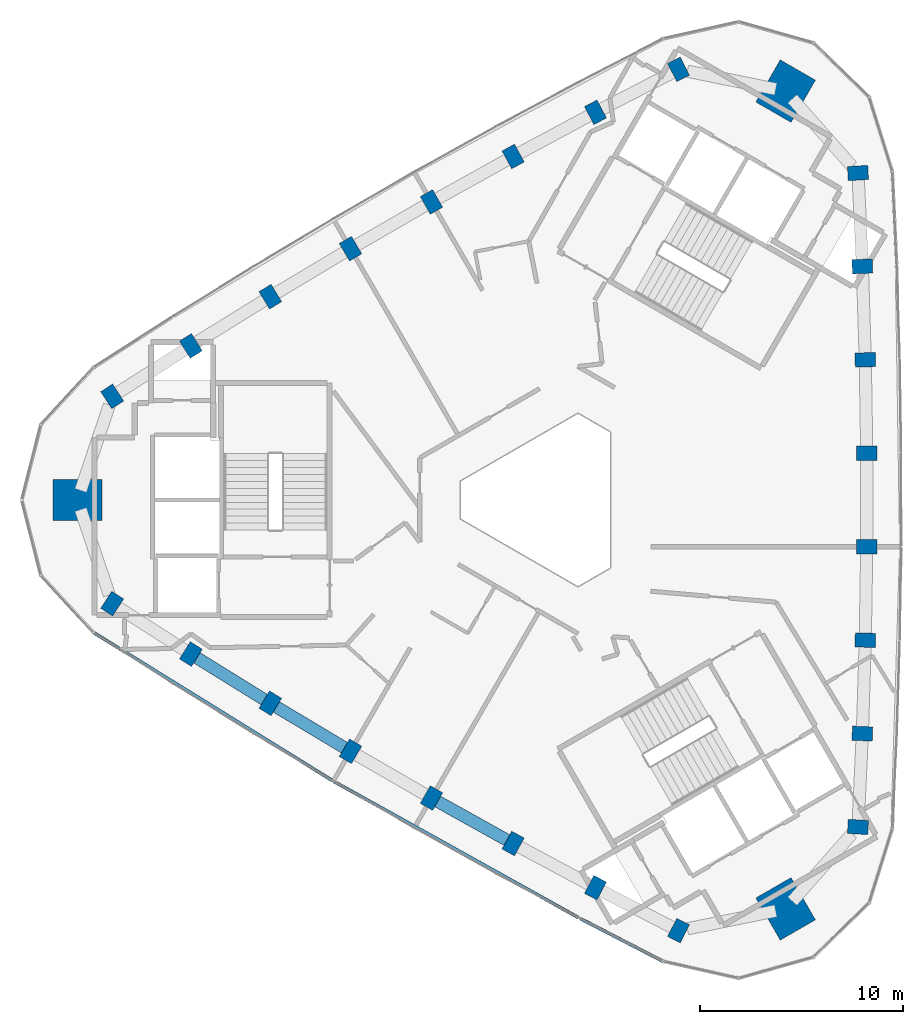
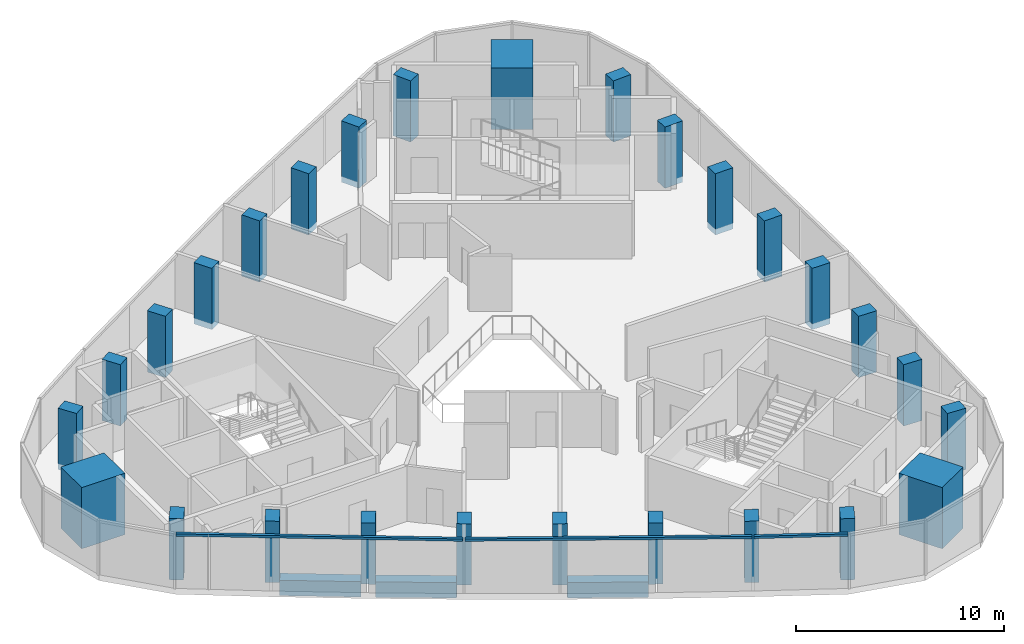
# One storey, part 1 of 10: 27 columns, 3 beams, 3 members, 1 element without a shape of its own.
"""IFC4 building model written with IfcOpenShell, lengths in metres."""

from ifc_helpers import new_model, si_unit, direction, frame, origin, origin_2d, place, context, subcontext, project, spatial, rectangle, extrude, material, material_profile, profile_set, type_object, element, aggregate, save


model = new_model("IFC4")

# Units and contexts
model_context = context("Model", 3, precision=1e-05, world=origin(), true_north=direction((0.0, 1.0)))
body_context = subcontext(model_context, "Body", "Model", "MODEL_VIEW")
ifc_project = project(units=[si_unit("LENGTHUNIT", "METRE"), si_unit("AREAUNIT", "SQUARE_METRE"), si_unit("VOLUMEUNIT", "CUBIC_METRE"), si_unit("PLANEANGLEUNIT", "RADIAN"), si_unit("MASSUNIT", "GRAM", prefix="KILO")], contexts=[model_context])

# Site, building, storey
site_placement = place(None, origin())
site = spatial("IfcSite", under=ifc_project, at=site_placement, CompositionType="ELEMENT")
building_placement = place(site_placement, origin())
building = spatial("IfcBuilding", under=site, at=building_placement, Name="Tamra Quay Hotel Tower", CompositionType="ELEMENT")
storey_placement = place(building_placement, frame((0.0, 0.0, 294.60009765625)))
storey = spatial("IfcBuildingStorey", under=building, at=storey_placement, Name="L74", CompositionType="ELEMENT", Elevation=294.60009765625)

# Columns
ifc_material_1 = material(Name="Concrete M70", Category="concrete")
ifc_material_profile_1 = material_profile(ifc_material_1, rectangle(XDim=1.0, YDim=0.699951171875, at=origin_2d()), Name="COLUMN RC 700x1000 Z6")
ifc_profile_set_1 = profile_set([ifc_material_profile_1], Name="Concrete M70")
column_type_1 = type_object("IfcColumnType", Name="COLUMN RC 700x1000 Z6", PredefinedType="COLUMN", material=ifc_profile_set_1)
for number, where, z_axis, x_axis, name in (
    (1, (15.202392578125, -16.116943359375, -0.35009765625), (0.0, 0.0, 1.0), (-0.998490919119, 0.05491706873, 0.0), "COL-C6E01-L74"),
    (2, (15.418212890625, -11.51513671875, -0.35009765625), (0.0, 0.0, 1.0), (-0.999251212442, 0.03869127076, 0.0), "COL-C6E02-L74"),
    (3, (15.56201171875, -6.909912109375, -0.35009765625), (0.0, 0.0, 1.0), (-0.999717847188, 0.023753442163, 0.0), "COL-C6E03-L74"),
    (4, (15.634033203125, -2.303466796875, -0.35009765625), (0.0, 0.0, 1.0), (-0.999968634555, 0.007920221337, 0.0), "COL-C6E04-L74"),
    (5, (15.634033203125, 2.303466796875, -0.35009765625), (0.0, 0.0, 1.0), (0.999968634555, 0.007920221337, 0.0), "COL-C6E05-L74"),
    (6, (15.56201171875, 6.909912109375, -0.35009765625), (0.0, 0.0, 1.0), (0.999717847188, 0.023753442163, 0.0), "COL-C6E06-L74"),
    (7, (15.418212890625, 11.51513671875, -0.35009765625), (0.0, 0.0, 1.0), (0.999251212442, 0.03869127076, 0.0), "COL-C6E07-L74"),
    (8, (15.202392578125, 16.116943359375, -0.35009765625), (0.0, 0.0, 1.0), (0.998490919119, 0.05491706873, 0.0), "COL-C6E08-L74"),
    (9, (6.3564453125, 21.22412109375, -0.35009765625), (0.0, 0.0, 1.0), (-0.451685882938, 0.89217703577, 0.0), "COL-C6NW01-L74"),
    (10, (2.26318359375, 19.110107421875, -0.35009765625), (0.0, 0.0, 1.0), (-0.466117982839, 0.884722570117, 0.0), "COL-C6NW02-L74"),
    (11, (-1.796875, 16.93212890625, -0.35009765625), (0.0, 0.0, 1.0), (-0.479287839253, 0.877657773363, 0.0), "COL-C6NW03-L74"),
    (12, (-5.822265625, 14.69140625, -0.35009765625), (0.0, 0.0, 1.0), (-0.493125204396, 0.869958351181, 0.0), "COL-C6NW04-L74"),
    (13, (-9.81201171875, 12.3876953125, -0.35009765625), (0.0, 0.0, 1.0), (-0.506843430159, 0.862038129844, 0.0), "COL-C6NW05-L74"),
    (14, (-13.765380859375, 10.022216796875, -0.35009765625), (0.0, 0.0, 1.0), (-0.520430007934, 0.8539043312, 0.0), "COL-C6NW06-L74"),
    (15, (-17.681396484375, 7.594970703125, -0.35009765625), (0.0, 0.0, 1.0), (-0.533133229604, 0.846031299357, 0.0), "COL-C6NW07-L74"),
    (16, (-21.558837890625, 5.107421875, -0.35009765625), (0.0, 0.0, 1.0), (-0.546805036181, 0.83725996704, 0.0), "COL-C6NW08-L74"),
    (17, (-21.558837890625, -5.107421875, -0.35009765625), (0.0, 0.0, 1.0), (0.546805036181, 0.83725996704, 0.0), "COL-C6SW01-L74"),
    (18, (-17.681396484375, -7.594970703125, -0.35009765625), (0.0, 0.0, 1.0), (0.533133229604, 0.846031299357, 0.0), "COL-C6SW02-L74"),
    (19, (-13.765380859375, -10.022216796875, -0.35009765625), (0.0, 0.0, 1.0), (0.520430007934, 0.8539043312, 0.0), "COL-C6SW03-L74"),
    (20, (-9.81201171875, -12.3876953125, -0.35009765625), (0.0, 0.0, 1.0), (0.506843430159, 0.862038129844, 0.0), "COL-C6SW04-L74"),
    (21, (-5.822265625, -14.69140625, -0.35009765625), (0.0, 0.0, 1.0), (0.493125204396, 0.869958351181, 0.0), "COL-C6SW05-L74"),
    (22, (-1.796875, -16.93212890625, -0.35009765625), (0.0, 0.0, 1.0), (0.479287839253, 0.877657773363, 0.0), "COL-C6SW06-L74"),
    (23, (2.26318359375, -19.110107421875, -0.35009765625), (0.0, 0.0, 1.0), (0.466117982839, 0.884722570117, 0.0), "COL-C6SW07-L74"),
    (24, (6.3564453125, -21.22412109375, -0.35009765625), (0.0, 0.0, 1.0), (0.451685882938, 0.89217703577, 0.0), "COL-C6SW08-L74"),
):
    element("IfcColumn", number, at=place(storey_placement, frame(where, z_axis=z_axis, x_axis=x_axis)), inside=storey, type_object=column_type_1, Name=name, PredefinedType="COLUMN", context=body_context, shape_type="SweptSolid", body=[
        extrude(rectangle(XDim=1.0, YDim=0.699951171875, at=origin_2d()), origin(), (0.0, 0.0, 1.0), 3.60009765625),
    ])
ifc_material_profile_2 = material_profile(ifc_material_1, rectangle(XDim=2.39990234375, YDim=2.0, at=origin_2d()), Name="MEGA COLUMN RC 2000x2400 Z6")
ifc_profile_set_2 = profile_set([ifc_material_profile_2], Name="Concrete M70")
column_type_2 = type_object("IfcColumnType", Name="MEGA COLUMN RC 2000x2400 Z6", PredefinedType="COLUMN", material=ifc_profile_set_2)
for number, where, z_axis, x_axis, name in (
    (25, (11.63671875, 20.1552734375, -0.35009765625), (0.0, 0.0, 1.0), (0.5, 0.866025403784, 0.0), "COL-M6NE-L74"),
    (26, (-23.2734375, 0.0, -0.35009765625), (0.0, 0.0, 1.0), (1.0, 0.0, 0.0), "COL-M6W-L74"),
    (27, (11.63671875, -20.1552734375, -0.35009765625), (0.0, 0.0, 1.0), (-0.5, 0.866025403784, 0.0), "COL-M6SE-L74"),
):
    element("IfcColumn", number, at=place(storey_placement, frame(where, z_axis=z_axis, x_axis=x_axis)), inside=storey, type_object=column_type_2, Name=name, PredefinedType="COLUMN", context=body_context, shape_type="SweptSolid", body=[
        extrude(rectangle(XDim=2.39990234375, YDim=2.0, at=origin_2d()), origin(), (0.0, 0.0, 1.0), 3.60009765625),
    ])

# Beams
ifc_material_2 = material(Name="Concrete M60", Category="concrete")
ifc_material_profile_3 = material_profile(ifc_material_2, rectangle(XDim=0.60009765625, YDim=0.89990234375, at=origin_2d()), Name="SPANDREL BEAM RC 600x900")
ifc_profile_set_3 = profile_set([ifc_material_profile_3], Name="Concrete M60")
beam_type = type_object("IfcBeamType", Name="SPANDREL BEAM RC 600x900", PredefinedType="SPANDREL", material=ifc_profile_set_3)
beam_1_placement = place(storey_placement, frame((-17.384033203125, -7.779296875, -0.800048828125), z_axis=(0.849972078006, -0.526827739029, 0.0), x_axis=(0.526827739029, 0.849972078006, 0.0)))
element("IfcBeam", 28, at=beam_1_placement, inside=storey, type_object=beam_type, Name="BM-SP6-019-L74", PredefinedType="SPANDREL", context=body_context, shape_type="SweptSolid", body=[
    extrude(rectangle(XDim=0.60009765625, YDim=0.89990234375, at=origin_2d()), origin(), (0.0, 0.0, 1.0), 3.907470703125),
])
beam_2_placement = place(storey_placement, frame((-13.465087890625, -10.201904296875, -0.800048828125), z_axis=(0.858120821909, -0.513447811376, 0.0), x_axis=(0.513447811376, 0.858120821909, 0.0)))
element("IfcBeam", 29, at=beam_2_placement, inside=storey, type_object=beam_type, Name="BM-SP6-020-L74", PredefinedType="SPANDREL", context=body_context, shape_type="SweptSolid", body=[
    extrude(rectangle(XDim=0.60009765625, YDim=0.89990234375, at=origin_2d()), origin(), (0.0, 0.0, 1.0), 3.9072265625),
])
beam_3_placement = place(storey_placement, frame((-5.516357421875, -14.861572265625, -0.800048828125), z_axis=(0.873726581477, -0.486417373066, 0.0), x_axis=(0.486417373066, 0.873726581477, 0.0)))
element("IfcBeam", 30, at=beam_3_placement, inside=storey, type_object=beam_type, Name="BM-SP6-022-L74", PredefinedType="SPANDREL", context=body_context, shape_type="SweptSolid", body=[
    extrude(rectangle(XDim=0.60009765625, YDim=0.89990234375, at=origin_2d()), origin(), (0.0, 0.0, 1.0), 3.906982421875),
])

# Curtain wall, members
ifc_material_3 = material(Name="Aluminium 6063 anodised dark grey", Category="aluminium")
curtain_wall_type = type_object("IfcCurtainWallType", Name="CW3 CURTAIN WALL", PredefinedType="NOTDEFINED", material=ifc_material_3)
curtain_wall_placement = place(storey_placement, origin())
curtain_wall = element("IfcCurtainWall", 31, at=curtain_wall_placement, inside=storey, type_object=curtain_wall_type, Name="CW3 south-west face L74", PredefinedType="NOTDEFINED")
ifc_material_profile_4 = material_profile(ifc_material_3, rectangle(XDim=0.159912109375, YDim=0.139892578125, at=origin_2d()), Name="TRANSOM 160X140")
ifc_profile_set_4 = profile_set([ifc_material_profile_4], Name="Aluminium 6063 anodised dark grey")
member_type = type_object("IfcMemberType", Name="TRANSOM CW3 Z6", PredefinedType="USERDEFINED", material=ifc_profile_set_4)
member_1_placement = place(storey_placement, frame((-22.4462890625, -6.5576171875, 3.179931640625), z_axis=(0.849981120272, -0.52681315016, 0.0), x_axis=(0.52681315016, 0.849981120272, 0.0)))
member_1 = element("IfcMember", 32, at=member_1_placement, type_object=member_type, Name="CW3 transom L74.SW.1", ObjectType="TRANSOM", PredefinedType="USERDEFINED", context=body_context, shape_type="SweptSolid", body=[
    extrude(rectangle(XDim=0.159912109375, YDim=0.139892578125, at=origin_2d()), origin(), (0.0, 0.0, 1.0), 13.800048828125),
])
member_2_placement = place(storey_placement, frame((-10.63037109375, -13.878173828125, 3.179931640625), z_axis=(0.873726321202, -0.486417840585, 0.0), x_axis=(0.486417840585, 0.873726321202, 0.0)))
member_2 = element("IfcMember", 33, at=member_2_placement, type_object=member_type, Name="CW3 transom L74.SW.4", ObjectType="TRANSOM", PredefinedType="USERDEFINED", context=body_context, shape_type="SweptSolid", body=[
    extrude(rectangle(XDim=0.159912109375, YDim=0.139892578125, at=origin_2d()), origin(), (0.0, 0.0, 1.0), 13.799560546875),
])
member_3_placement = place(storey_placement, frame((1.515380859375, -20.63720703125, 3.179931640625), z_axis=(0.888492499953, -0.45889113908, 0.0), x_axis=(0.45889113908, 0.888492499953, 0.0)))
member_3 = element("IfcMember", 34, at=member_3_placement, type_object=member_type, Name="CW3 transom L74.SW.7", ObjectType="TRANSOM", PredefinedType="USERDEFINED", context=body_context, shape_type="SweptSolid", body=[
    extrude(rectangle(XDim=0.159912109375, YDim=0.139892578125, at=origin_2d()), origin(), (0.0, 0.0, 1.0), 4.534423828125),
])
aggregate(curtain_wall, [member_1, member_2, member_3])

save(model, "model.ifc")
